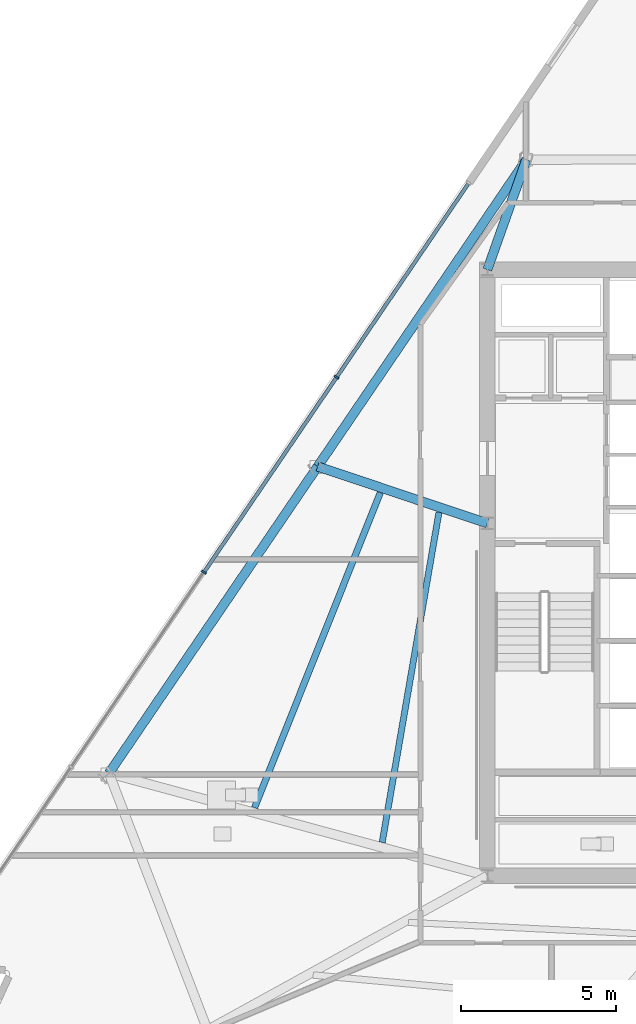
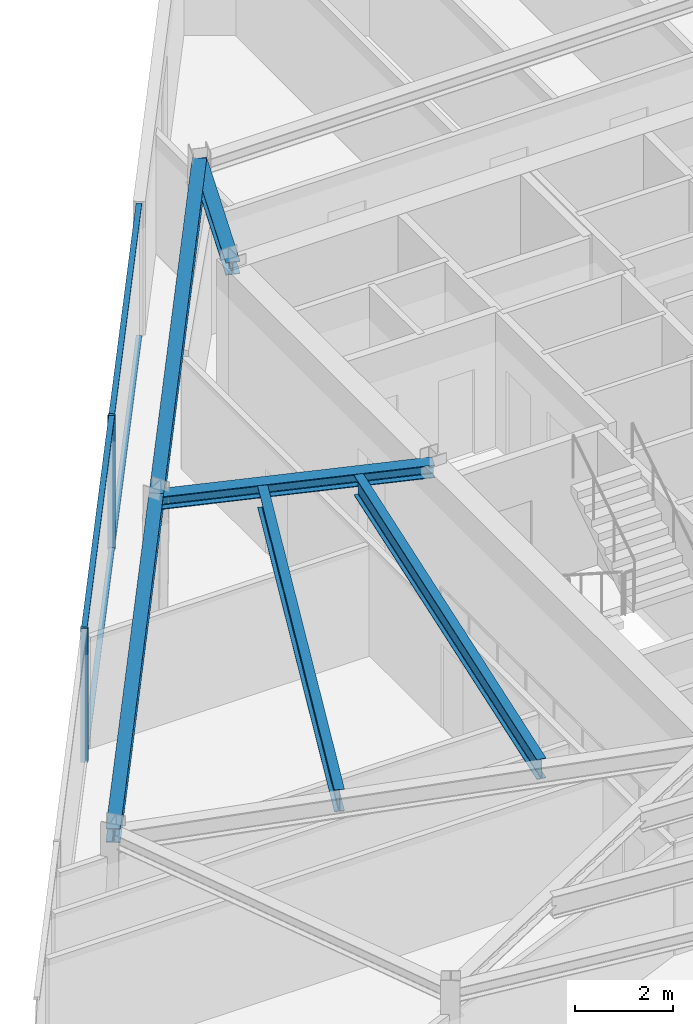
# One storey, part 4 of 14: 6 beams, 6 members, 1 element without a shape of its own.
"""IFC4 building model written with IfcOpenShell, lengths in metres."""

from ifc_helpers import new_model, si_unit, direction, frame, origin, origin_2d, place, context, subcontext, project, spatial, rectangle, i_section, extrude, material, material_profile, profile_set, type_object, element, aggregate, save


model = new_model("IFC4")

# Units and contexts
model_context = context("Model", 3, precision=1e-05, world=origin(), true_north=direction((0.0, 1.0)))
body_context = subcontext(model_context, "Body", "Model", "MODEL_VIEW")
ifc_project = project(units=[si_unit("LENGTHUNIT", "METRE"), si_unit("AREAUNIT", "SQUARE_METRE"), si_unit("VOLUMEUNIT", "CUBIC_METRE"), si_unit("PLANEANGLEUNIT", "RADIAN"), si_unit("MASSUNIT", "GRAM", prefix="KILO")], contexts=[model_context])

# Site, building, storey
site_placement = place(None, origin())
site = spatial("IfcSite", under=ifc_project, at=site_placement, CompositionType="ELEMENT")
building_placement = place(site_placement, origin())
building = spatial("IfcBuilding", under=site, at=building_placement, Name="Savorim Split Tower", CompositionType="ELEMENT")
storey_placement = place(building_placement, frame((0.0, 0.0, 205.5)))
storey = spatial("IfcBuildingStorey", under=building, at=storey_placement, Name="L54", CompositionType="ELEMENT", Elevation=205.5)

# Beams
ifc_material_1 = material(Name="Steel S355", Category="steel")
ifc_material_profile_1 = material_profile(ifc_material_1, i_section(OverallWidth=0.199951171875, OverallDepth=0.5, WebThickness=0.01025390625, FlangeThickness=0.01611328125, FilletRadius=0.02099609375, at=origin_2d()), Name="IPE 500")
ifc_profile_set_1 = profile_set([ifc_material_profile_1], Name="Steel S355")
beam_type_1 = type_object("IfcBeamType", Name="BM-JST-IPE500", PredefinedType="JOIST", material=ifc_profile_set_1)
beam_1_placement = place(storey_placement, frame((-9.26318359375, 2.3564453125, 3.10009765625), z_axis=(-0.169476437818, -0.985534239397, 0.0), x_axis=(0.985534239397, -0.169476437818, 0.0)))
element("IfcBeam", 1, at=beam_1_placement, inside=storey, type_object=beam_type_1, Name="L54 Secondary Floor Joist JS-11", PredefinedType="JOIST", context=body_context, shape_type="SweptSolid", body=[
    extrude(i_section(OverallWidth=0.199951171875, OverallDepth=0.5, WebThickness=0.01025390625, FlangeThickness=0.01611328125, FilletRadius=0.02099609375, at=origin_2d()), origin(), (0.0, 0.0, 1.0), 10.82568359375),
])
ifc_material_profile_2 = material_profile(ifc_material_1, i_section(OverallWidth=0.2099609375, OverallDepth=0.550048828125, WebThickness=0.010986328125, FlangeThickness=0.01708984375, FilletRadius=0.02392578125, at=origin_2d()), Name="IPE 550")
ifc_profile_set_2 = profile_set([ifc_material_profile_2], Name="Steel S355")
beam_type_2 = type_object("IfcBeamType", Name="BM-JST-IPE550", PredefinedType="JOIST", material=ifc_profile_set_2)
beam_2_placement = place(storey_placement, frame((-11.160400390625, 2.989990234375, 3.074951171875), z_axis=(-0.370680324158, -0.928760516647, 0.0), x_axis=(0.928760516647, -0.370680324158, 0.0)))
element("IfcBeam", 2, at=beam_2_placement, inside=storey, type_object=beam_type_2, Name="L54 Secondary Floor Joist JS-10", PredefinedType="JOIST", context=body_context, shape_type="SweptSolid", body=[
    extrude(i_section(OverallWidth=0.2099609375, OverallDepth=0.550048828125, WebThickness=0.010986328125, FlangeThickness=0.01708984375, FilletRadius=0.02392578125, at=origin_2d()), origin(), (0.0, 0.0, 1.0), 10.964111328125),
])
ifc_material_profile_3 = material_profile(ifc_material_1, i_section(OverallWidth=0.300048828125, OverallDepth=0.320068359375, WebThickness=0.011474609375, FlangeThickness=0.0205078125, FilletRadius=0.027099609375, at=origin_2d()), Name="HEB 320")
ifc_profile_set_3 = profile_set([ifc_material_profile_3], Name="Steel S355")
beam_type_3 = type_object("IfcBeamType", Name="BM-PRI-HEB320", PredefinedType="BEAM", material=ifc_profile_set_3)
beam_3_placement = place(storey_placement, frame((-6.439697265625, 13.7529296875, 3.18994140625), z_axis=(-0.334296660514, -0.942467900127, 0.0), x_axis=(0.942467900127, -0.334296660514, 0.0)))
element("IfcBeam", 3, at=beam_3_placement, inside=storey, type_object=beam_type_3, Name="L54 Primary Floor Girder RG-08", PredefinedType="BEAM", context=body_context, shape_type="SweptSolid", body=[
    extrude(i_section(OverallWidth=0.300048828125, OverallDepth=0.320068359375, WebThickness=0.011474609375, FlangeThickness=0.0205078125, FilletRadius=0.027099609375, at=origin_2d()), origin(), (0.0, 0.0, 1.0), 3.769775390625),
])
beam_4_placement = place(storey_placement, frame((-13.185791015625, 3.836181640625, 3.18994140625), z_axis=(0.948290084147, -0.31740497209, 0.0), x_axis=(0.31740497209, 0.948290084147, 0.0)))
element("IfcBeam", 4, at=beam_4_placement, inside=storey, type_object=beam_type_3, Name="L54 Primary Floor Girder RG-09", PredefinedType="BEAM", context=body_context, shape_type="SweptSolid", body=[
    extrude(i_section(OverallWidth=0.300048828125, OverallDepth=0.320068359375, WebThickness=0.011474609375, FlangeThickness=0.0205078125, FilletRadius=0.027099609375, at=origin_2d()), origin(), (0.0, 0.0, 1.0), 5.784912109375),
])
ifc_material_profile_4 = material_profile(ifc_material_1, i_section(OverallWidth=0.300048828125, OverallDepth=0.35009765625, WebThickness=0.010009765625, FlangeThickness=0.017578125, FilletRadius=0.027099609375, at=origin_2d()), Name="HEA 360")
ifc_profile_set_4 = profile_set([ifc_material_profile_4], Name="Steel S355")
beam_type_4 = type_object("IfcBeamType", Name="BM-SPN-HEA360", PredefinedType="SPANDREL", material=ifc_profile_set_4)
beam_5_placement = place(storey_placement, frame((-6.439697265625, 13.7529296875, 3.175048828125), z_axis=(-0.562464237124, -0.82682161435, 0.0), x_axis=(0.82682161435, -0.562464237124, 0.0)))
element("IfcBeam", 5, at=beam_5_placement, inside=storey, type_object=beam_type_4, Name="L54 Perimeter Spandrel Beam 8", PredefinedType="SPANDREL", context=body_context, shape_type="SweptSolid", body=[
    extrude(i_section(OverallWidth=0.300048828125, OverallDepth=0.35009765625, WebThickness=0.010009765625, FlangeThickness=0.017578125, FilletRadius=0.027099609375, at=origin_2d()), origin(), (0.0, 0.0, 1.0), 11.993896484375),
])
beam_6_placement = place(storey_placement, frame((-13.185791015625, 3.836181640625, 3.175048828125), z_axis=(-0.562473703744, -0.826815174387, 0.0), x_axis=(0.826815174387, -0.562473703744, 0.0)))
element("IfcBeam", 6, at=beam_6_placement, inside=storey, type_object=beam_type_4, Name="L54 Perimeter Spandrel Beam 9", PredefinedType="SPANDREL", context=body_context, shape_type="SweptSolid", body=[
    extrude(i_section(OverallWidth=0.300048828125, OverallDepth=0.35009765625, WebThickness=0.010009765625, FlangeThickness=0.017578125, FilletRadius=0.027099609375, at=origin_2d()), origin(), (0.0, 0.0, 1.0), 11.99365234375),
])

# Curtain wall, members
ifc_material_2 = material(Name="Dark Ceramic-Fritted Insulated Glass", Category="glass")
curtain_wall_type = type_object("IfcCurtainWallType", Name="CW-TWR-FRIT-B", PredefinedType="NOTDEFINED", material=ifc_material_2)
curtain_wall_placement = place(storey_placement, origin())
curtain_wall = element("IfcCurtainWall", 7, at=curtain_wall_placement, inside=storey, type_object=curtain_wall_type, Name="L54 Curtain Wall CW-L54-WEST", PredefinedType="NOTDEFINED")
ifc_material_3 = material(Name="Charcoal Anodised Aluminium", Category="aluminium")
ifc_material_profile_5 = material_profile(ifc_material_3, rectangle(XDim=0.159912109375, YDim=0.06005859375, at=origin_2d()), Name="ALU-M 160x60")
ifc_profile_set_5 = profile_set([ifc_material_profile_5], Name="Charcoal Anodised Aluminium")
member_type_1 = type_object("IfcMemberType", Name="CWM-160x60", PredefinedType="MULLION", material=ifc_profile_set_5)
member_1_placement = place(storey_placement, frame((-12.57177734375, 6.72265625, 0.0), z_axis=(0.0, 0.0, 1.0), x_axis=(0.826820907104, -0.562465276773, 0.0)))
member_1 = element("IfcMember", 8, at=member_1_placement, type_object=member_type_1, Name="CW-03 mullion 2", PredefinedType="MULLION", context=body_context, shape_type="SweptSolid", body=[
    extrude(rectangle(XDim=0.159912109375, YDim=0.06005859375, at=origin_2d()), origin(), (0.0, 0.0, 1.0), 3.35009765625),
])
member_2_placement = place(storey_placement, frame((-16.85986328125, 0.419189453125, 0.0), z_axis=(0.0, 0.0, 1.0), x_axis=(0.826820907104, -0.562465276773, 0.0)))
member_2 = element("IfcMember", 9, at=member_2_placement, type_object=member_type_1, Name="CW-03 mullion 3", PredefinedType="MULLION", context=body_context, shape_type="SweptSolid", body=[
    extrude(rectangle(XDim=0.159912109375, YDim=0.06005859375, at=origin_2d()), origin(), (0.0, 0.0, 1.0), 3.35009765625),
])
ifc_material_profile_6 = material_profile(ifc_material_3, rectangle(XDim=0.1201171875, YDim=0.050048828125, at=origin_2d()), Name="ALU-T 120x50")
ifc_profile_set_6 = profile_set([ifc_material_profile_6], Name="Charcoal Anodised Aluminium")
member_type_2 = type_object("IfcMemberType", Name="CWT-120x50", PredefinedType="USERDEFINED", material=ifc_profile_set_6)
member_3_placement = place(storey_placement, frame((-8.317626953125, 12.976318359375, 0.02490234375), z_axis=(-0.562453610104, -0.826828843523, 0.0), x_axis=(0.826828843523, -0.562453610104, 0.0)))
member_3 = element("IfcMember", 10, at=member_3_placement, type_object=member_type_2, Name="CW-03 transom 1.1", ObjectType="TRANSOM", PredefinedType="USERDEFINED", context=body_context, shape_type="SweptSolid", body=[
    extrude(rectangle(XDim=0.1201171875, YDim=0.050048828125, at=origin_2d()), origin(), (0.0, 0.0, 1.0), 7.53369140625),
])
member_4_placement = place(storey_placement, frame((-8.317626953125, 12.976318359375, 3.324951171875), z_axis=(-0.562453610104, -0.826828843523, 0.0), x_axis=(0.826828843523, -0.562453610104, 0.0)))
member_4 = element("IfcMember", 11, at=member_4_placement, type_object=member_type_2, Name="CW-03 transom 1.2", ObjectType="TRANSOM", PredefinedType="USERDEFINED", context=body_context, shape_type="SweptSolid", body=[
    extrude(rectangle(XDim=0.1201171875, YDim=0.050048828125, at=origin_2d()), origin(), (0.0, 0.0, 1.0), 7.53369140625),
])
member_5_placement = place(storey_placement, frame((-12.588623046875, 6.69775390625, 0.02490234375), z_axis=(-0.562460105571, -0.826824424918, 0.0), x_axis=(0.826824424918, -0.562460105571, 0.0)))
member_5 = element("IfcMember", 12, at=member_5_placement, type_object=member_type_2, Name="CW-03 transom 2.1", ObjectType="TRANSOM", PredefinedType="USERDEFINED", context=body_context, shape_type="SweptSolid", body=[
    extrude(rectangle(XDim=0.1201171875, YDim=0.050048828125, at=origin_2d()), origin(), (0.0, 0.0, 1.0), 7.5634765625),
])
member_6_placement = place(storey_placement, frame((-12.588623046875, 6.69775390625, 3.324951171875), z_axis=(-0.562460105571, -0.826824424918, 0.0), x_axis=(0.826824424918, -0.562460105571, 0.0)))
member_6 = element("IfcMember", 13, at=member_6_placement, type_object=member_type_2, Name="CW-03 transom 2.2", ObjectType="TRANSOM", PredefinedType="USERDEFINED", context=body_context, shape_type="SweptSolid", body=[
    extrude(rectangle(XDim=0.1201171875, YDim=0.050048828125, at=origin_2d()), origin(), (0.0, 0.0, 1.0), 7.5634765625),
])
aggregate(curtain_wall, [member_1, member_2, member_3, member_4, member_5, member_6])

save(model, "model.ifc")
